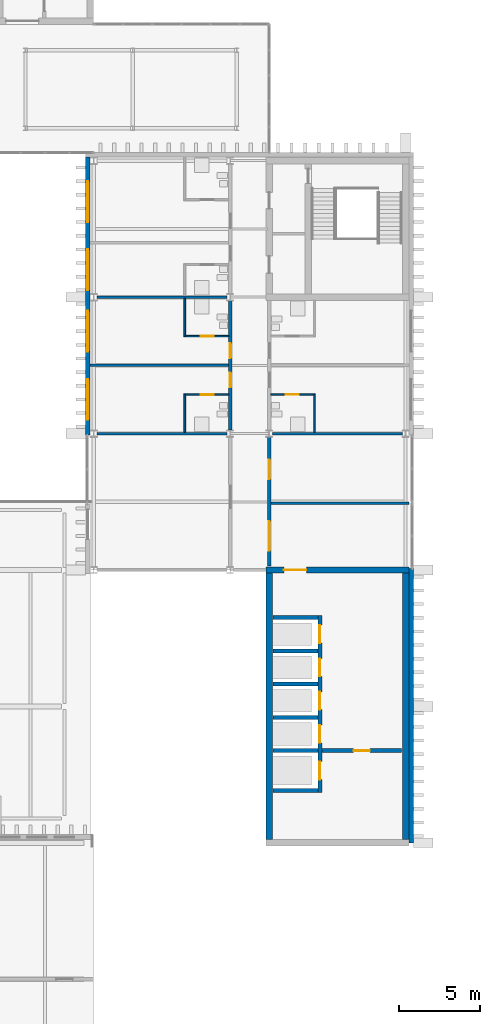
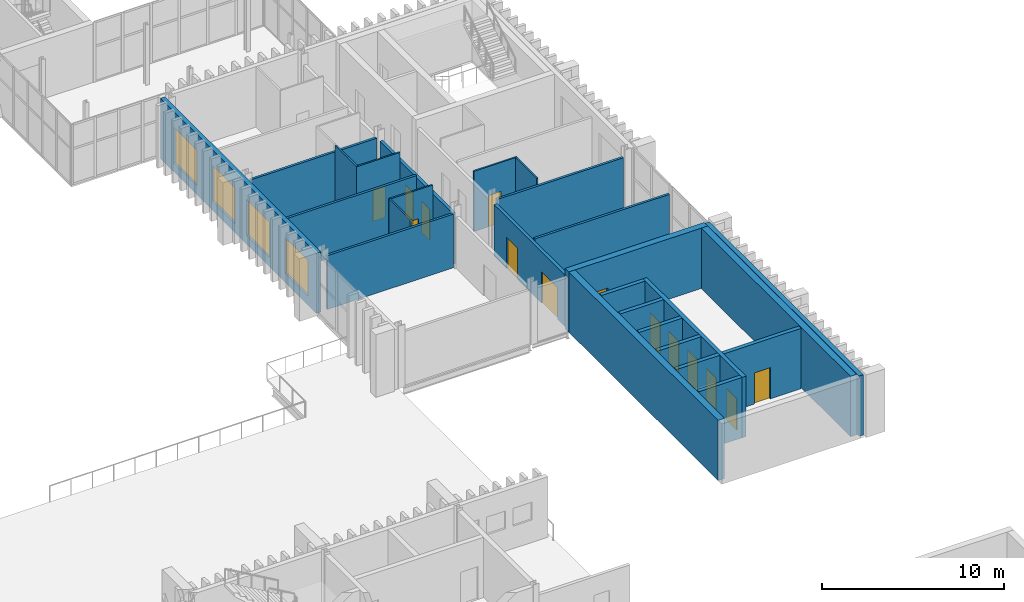
# One storey, part 70 of 96: 26 walls, 14 doors, 4 windows, 18 openings.
"""IFC4 building model written with IfcOpenShell, lengths in metres."""

from ifc_helpers import new_model, si_unit, direction, frame, frame_2d, origin, place, context, subcontext, project, spatial, rectangle, extrude, material, layer, layer_set, type_object, element, fill, save


model = new_model("IFC4")

# Units and contexts
model_context = context("Model", 3, precision=1e-05, world=origin(), true_north=direction((0.0, 1.0)))
body_context = subcontext(model_context, "Body", "Model", "MODEL_VIEW")
ifc_project = project(units=[si_unit("LENGTHUNIT", "METRE"), si_unit("AREAUNIT", "SQUARE_METRE"), si_unit("VOLUMEUNIT", "CUBIC_METRE"), si_unit("PLANEANGLEUNIT", "RADIAN"), si_unit("MASSUNIT", "GRAM", prefix="KILO")], contexts=[model_context])

# Site, building, storey
site_placement = place(None, origin())
site = spatial("IfcSite", under=ifc_project, at=site_placement, CompositionType="ELEMENT")
building_placement = place(site_placement, origin())
building = spatial("IfcBuilding", under=site, at=building_placement, Name="Cresset Court Congress Hotel", CompositionType="ELEMENT")
storey_placement = place(building_placement, frame((0.0, 0.0, 6.0)))
storey = spatial("IfcBuildingStorey", under=building, at=storey_placement, Name="L01", CompositionType="ELEMENT", Elevation=6.0)

# Wall, openings, doors
ifc_material_1 = material(Name="Gypsum board partition")
ifc_layer_1 = layer(ifc_material_1, 0.199951171875)
ifc_layer_set_1 = layer_set([ifc_layer_1], Name="Corridor wall 200")
wall_type_1 = type_object("IfcWallType", Name="Corridor wall 200", PredefinedType="PARTITIONING", material=ifc_layer_set_1)
wall_1_placement = place(storey_placement, frame((165.60009765625, 50.614013671875, 0.0), z_axis=(0.0, 0.0, 1.0), x_axis=(0.0, 1.0, 0.0)))
wall_1 = element("IfcWall", 1, at=wall_1_placement, inside=storey, type_object=wall_type_1, Name="A.wl.L01.023", PredefinedType="PARTITIONING", context=body_context, shape_type="SweptSolid", body=[
    extrude(rectangle(XDim=7.971923828125, YDim=0.199951171875, at=frame_2d((3.98583984375, 0.0))), origin(), (0.0, 0.0, 1.0), 3.449951171875),
])
opening_1_placement = place(wall_1_placement, frame((2.635986328125, 0.0, 0.0)))
opening_1 = element("IfcOpeningElement", 2, at=opening_1_placement, cuts=wall_1, Name="Opening DA-01-02", PredefinedType="OPENING", context=body_context, shape_type="SweptSolid", body=[
    extrude(rectangle(XDim=0.89990234375, YDim=2.10009765625, at=frame_2d((0.449951171875, 1.050048828125))), frame((0.0, 0.10986328125, 0.0), z_axis=(0.0, -1.0, 0.0), x_axis=(1.0, 0.0, 0.0)), (0.0, 0.0, 1.0), 0.219970703125),
])
opening_2_placement = place(wall_1_placement, frame((4.43603515625, 0.0, 0.0)))
opening_2 = element("IfcOpeningElement", 3, at=opening_2_placement, cuts=wall_1, Name="Opening DA-01-04", PredefinedType="OPENING", context=body_context, shape_type="SweptSolid", body=[
    extrude(rectangle(XDim=0.89990234375, YDim=2.10009765625, at=frame_2d((0.449951171875, 1.050048828125))), frame((0.0, 0.10986328125, 0.0), z_axis=(0.0, -1.0, 0.0), x_axis=(1.0, 0.0, 0.0)), (0.0, 0.0, 1.0), 0.219970703125),
])
ifc_material_2 = material(Name="timber", Category="wood")
door_type_1 = type_object("IfcDoorType", Name="Guest-room entry door 900x2100 FD30S", OperationType="SINGLE_SWING_LEFT", PredefinedType="DOOR", material=ifc_material_2)
door_1_placement = place(opening_1_placement, origin())
door_1 = element("IfcDoor", 4, at=door_1_placement, inside=storey, type_object=door_type_1, Name="Door DA-01-02", OperationType="SINGLE_SWING_RIGHT", OverallHeight=2.10009765625, OverallWidth=0.89990234375, PredefinedType="DOOR", context=body_context, shape_type="SweptSolid", body=[
    extrude(rectangle(XDim=0.89990234375, YDim=2.10009765625, at=frame_2d((0.449951171875, 1.050048828125))), frame((0.0, 0.02490234375, 0.0), z_axis=(0.0, -1.0, 0.0), x_axis=(1.0, 0.0, 0.0)), (0.0, 0.0, 1.0), 0.050048828125),
])
fill(opening_1, door_1)
door_2_placement = place(opening_2_placement, origin())
door_2 = element("IfcDoor", 5, at=door_2_placement, inside=storey, type_object=door_type_1, Name="Door DA-01-04", OperationType="SINGLE_SWING_LEFT", OverallHeight=2.10009765625, OverallWidth=0.89990234375, PredefinedType="DOOR", context=body_context, shape_type="SweptSolid", body=[
    extrude(rectangle(XDim=0.89990234375, YDim=2.10009765625, at=frame_2d((0.449951171875, 1.050048828125))), frame((0.0, 0.02490234375, 0.0), z_axis=(0.0, -1.0, 0.0), x_axis=(1.0, 0.0, 0.0)), (0.0, 0.0, 1.0), 0.050048828125),
])
fill(opening_2, door_2)

wall_2_placement = place(storey_placement, frame((168.0, 42.25, 0.0), z_axis=(0.0, 0.0, 1.0), x_axis=(0.0, 1.0, 0.0)))
wall_2 = element("IfcWall", 6, at=wall_2_placement, inside=storey, type_object=wall_type_1, Name="A.wl.L01.025", PredefinedType="PARTITIONING", context=body_context, shape_type="SweptSolid", body=[
    extrude(rectangle(XDim=7.93603515625, YDim=0.199951171875, at=frame_2d((3.968017578125, 0.0))), origin(), (0.0, 0.0, 1.0), 3.449951171875),
])
opening_3_placement = place(wall_2_placement, frame((5.35009765625, 0.0, 0.0)))
opening_3 = element("IfcOpeningElement", 7, at=opening_3_placement, cuts=wall_2, Name="Opening DA-01-14", PredefinedType="OPENING", context=body_context, shape_type="SweptSolid", body=[
    extrude(rectangle(XDim=1.199951171875, YDim=2.10009765625, at=frame_2d((0.60009765625, 1.050048828125))), frame((0.0, 0.10986328125, 0.0), z_axis=(0.0, -1.0, 0.0), x_axis=(1.0, 0.0, 0.0)), (0.0, 0.0, 1.0), 0.219970703125),
])
opening_4_placement = place(wall_2_placement, frame((0.949951171875, 0.0, 0.0)))
opening_4 = element("IfcOpeningElement", 8, at=opening_4_placement, cuts=wall_2, Name="Opening DA-01-16", PredefinedType="OPENING", context=body_context, shape_type="SweptSolid", body=[
    extrude(rectangle(XDim=1.800048828125, YDim=2.10009765625, at=frame_2d((0.89990234375, 1.050048828125))), frame((0.0, 0.10986328125, 0.0), z_axis=(0.0, -1.0, 0.0), x_axis=(1.0, 0.0, 0.0)), (0.0, 0.0, 1.0), 0.219970703125),
])
ifc_material_3 = material(Name="timber", Category="wood")
door_type_2 = type_object("IfcDoorType", Name="Interior door 1200x2100", OperationType="SINGLE_SWING_LEFT", PredefinedType="DOOR", material=ifc_material_3)
door_3_placement = place(opening_3_placement, origin())
door_3 = element("IfcDoor", 9, at=door_3_placement, inside=storey, type_object=door_type_2, Name="Door DA-01-14", OperationType="SINGLE_SWING_RIGHT", OverallHeight=2.10009765625, OverallWidth=1.199951171875, PredefinedType="DOOR", context=body_context, shape_type="SweptSolid", body=[
    extrude(rectangle(XDim=1.199951171875, YDim=2.10009765625, at=frame_2d((0.60009765625, 1.050048828125))), frame((0.0, 0.02490234375, 0.0), z_axis=(0.0, -1.0, 0.0), x_axis=(1.0, 0.0, 0.0)), (0.0, 0.0, 1.0), 0.050048828125),
])
fill(opening_3, door_3)
ifc_material_4 = material(Name="steel", Category="steel")
door_type_3 = type_object("IfcDoorType", Name="Lobby door 1800x2100 FD60", OperationType="DOUBLE_DOOR_DOUBLE_SWING", PredefinedType="DOOR", material=ifc_material_4)
door_4_placement = place(opening_4_placement, origin())
door_4 = element("IfcDoor", 10, at=door_4_placement, inside=storey, type_object=door_type_3, Name="Door DA-01-16", OperationType="DOUBLE_DOOR_DOUBLE_SWING", OverallHeight=2.10009765625, OverallWidth=1.800048828125, PredefinedType="DOOR", context=body_context, shape_type="SweptSolid", body=[
    extrude(rectangle(XDim=1.800048828125, YDim=2.10009765625, at=frame_2d((0.89990234375, 1.050048828125))), frame((0.0, 0.02490234375, 0.0), z_axis=(0.0, -1.0, 0.0), x_axis=(1.0, 0.0, 0.0)), (0.0, 0.0, 1.0), 0.050048828125),
])
fill(opening_4, door_4)

# Wall
ifc_material_5 = material(Name="Gypsum board partition")
ifc_layer_2 = layer(ifc_material_5, 0.10009765625)
ifc_layer_set_2 = layer_set([ifc_layer_2], Name="En-suite wall 100")
wall_type_2 = type_object("IfcWallType", Name="En-suite wall 100", PredefinedType="PARTITIONING", material=ifc_layer_set_2)
wall_3_placement = place(storey_placement, frame((162.800048828125, 50.47509765625, 0.0), z_axis=(0.0, 0.0, 1.0), x_axis=(0.0, 1.0, 0.0)))
element("IfcWall", 11, at=wall_3_placement, inside=storey, type_object=wall_type_2, Name="A.wl.L01.002", PredefinedType="PARTITIONING", context=body_context, shape_type="SweptSolid", body=[
    extrude(rectangle(XDim=2.324951171875, YDim=0.10009765625, at=frame_2d((1.16259765625, 0.0))), origin(), (0.0, 0.0, 1.0), 4.050048828125),
])

# Wall, opening, door
wall_4_placement = place(storey_placement, frame((162.75, 52.800048828125, 0.0), z_axis=(0.0, 0.0, 1.0), x_axis=(1.0, 0.0, 0.0)))
wall_4 = element("IfcWall", 12, at=wall_4_placement, inside=storey, type_object=wall_type_2, Name="A.wl.L01.003", PredefinedType="PARTITIONING", context=body_context, shape_type="SweptSolid", body=[
    extrude(rectangle(XDim=2.75, YDim=0.10009765625, at=frame_2d((1.375, 0.0))), origin(), (0.0, 0.0, 1.0), 4.050048828125),
])
opening_5_placement = place(wall_4_placement, frame((1.030029296875, 0.0, 0.0)))
opening_5 = element("IfcOpeningElement", 13, at=opening_5_placement, cuts=wall_4, Name="Opening DA-01-01", PredefinedType="OPENING", context=body_context, shape_type="SweptSolid", body=[
    extrude(rectangle(XDim=0.800048828125, YDim=2.10009765625, at=frame_2d((0.39990234375, 1.050048828125))), frame((0.0, 0.06005859375, 0.0), z_axis=(0.0, -1.0, 0.0), x_axis=(1.0, 0.0, 0.0)), (0.0, 0.0, 1.0), 0.1201171875),
])
ifc_material_6 = material(Name="timber", Category="wood")
door_type_4 = type_object("IfcDoorType", Name="En-suite door 800x2100", OperationType="SINGLE_SWING_LEFT", PredefinedType="DOOR", material=ifc_material_6)
door_5_placement = place(opening_5_placement, origin())
door_5 = element("IfcDoor", 14, at=door_5_placement, inside=storey, type_object=door_type_4, Name="Door DA-01-01", OperationType="SINGLE_SWING_RIGHT", OverallHeight=2.10009765625, OverallWidth=0.800048828125, PredefinedType="DOOR", context=body_context, shape_type="SweptSolid", body=[
    extrude(rectangle(XDim=0.800048828125, YDim=2.10009765625, at=frame_2d((0.39990234375, 1.050048828125))), frame((0.0, 0.02490234375, 0.0), z_axis=(0.0, -1.0, 0.0), x_axis=(1.0, 0.0, 0.0)), (0.0, 0.0, 1.0), 0.050048828125),
])
fill(opening_5, door_5)

# Wall
wall_5_placement = place(storey_placement, frame((162.800048828125, 56.39990234375, 0.0), z_axis=(0.0, 0.0, 1.0), x_axis=(0.0, 1.0, 0.0)))
element("IfcWall", 15, at=wall_5_placement, inside=storey, type_object=wall_type_2, Name="A.wl.L01.004", PredefinedType="PARTITIONING", context=body_context, shape_type="SweptSolid", body=[
    extrude(rectangle(XDim=2.3251953125, YDim=0.10009765625, at=frame_2d((1.16259765625, 0.0))), origin(), (0.0, 0.0, 1.0), 4.050048828125),
])

# Wall, opening, door
wall_6_placement = place(storey_placement, frame((162.75, 56.39990234375, 0.0), z_axis=(0.0, 0.0, 1.0), x_axis=(1.0, 0.0, 0.0)))
wall_6 = element("IfcWall", 16, at=wall_6_placement, inside=storey, type_object=wall_type_2, Name="A.wl.L01.005", PredefinedType="PARTITIONING", context=body_context, shape_type="SweptSolid", body=[
    extrude(rectangle(XDim=2.75, YDim=0.10009765625, at=frame_2d((1.375, 0.0))), origin(), (0.0, 0.0, 1.0), 4.050048828125),
])
opening_6_placement = place(wall_6_placement, frame((1.030029296875, 0.0, 0.0)))
opening_6 = element("IfcOpeningElement", 17, at=opening_6_placement, cuts=wall_6, Name="Opening DA-01-03", PredefinedType="OPENING", context=body_context, shape_type="SweptSolid", body=[
    extrude(rectangle(XDim=0.800048828125, YDim=2.10009765625, at=frame_2d((0.39990234375, 1.050048828125))), frame((0.0, 0.06005859375, 0.0), z_axis=(0.0, -1.0, 0.0), x_axis=(1.0, 0.0, 0.0)), (0.0, 0.0, 1.0), 0.1201171875),
])
door_6_placement = place(opening_6_placement, origin())
door_6 = element("IfcDoor", 18, at=door_6_placement, inside=storey, type_object=door_type_4, Name="Door DA-01-03", OperationType="SINGLE_SWING_LEFT", OverallHeight=2.10009765625, OverallWidth=0.800048828125, PredefinedType="DOOR", context=body_context, shape_type="SweptSolid", body=[
    extrude(rectangle(XDim=0.800048828125, YDim=2.10009765625, at=frame_2d((0.39990234375, 1.050048828125))), frame((0.0, 0.02490234375, 0.0), z_axis=(0.0, -1.0, 0.0), x_axis=(1.0, 0.0, 0.0)), (0.0, 0.0, 1.0), 0.050048828125),
])
fill(opening_6, door_6)

# Wall
wall_7_placement = place(storey_placement, frame((170.800048828125, 50.47509765625, 0.0), z_axis=(0.0, 0.0, 1.0), x_axis=(0.0, 1.0, 0.0)))
element("IfcWall", 19, at=wall_7_placement, inside=storey, type_object=wall_type_2, Name="A.wl.L01.010", PredefinedType="PARTITIONING", context=body_context, shape_type="SweptSolid", body=[
    extrude(rectangle(XDim=2.324951171875, YDim=0.10009765625, at=frame_2d((1.16259765625, 0.0))), origin(), (0.0, 0.0, 1.0), 4.050048828125),
])

# Wall, opening, door
wall_8_placement = place(storey_placement, frame((170.85009765625, 52.800048828125, 0.0), z_axis=(0.0, 0.0, 1.0), x_axis=(-1.0, 0.0, 0.0)))
wall_8 = element("IfcWall", 20, at=wall_8_placement, inside=storey, type_object=wall_type_2, Name="A.wl.L01.011", PredefinedType="PARTITIONING", context=body_context, shape_type="SweptSolid", body=[
    extrude(rectangle(XDim=2.75, YDim=0.10009765625, at=frame_2d((1.375, 0.0))), origin(), (0.0, 0.0, 1.0), 4.050048828125),
])
opening_7_placement = place(wall_8_placement, frame((1.030029296875, 0.0, 0.0)))
opening_7 = element("IfcOpeningElement", 21, at=opening_7_placement, cuts=wall_8, Name="Opening DA-01-09", PredefinedType="OPENING", context=body_context, shape_type="SweptSolid", body=[
    extrude(rectangle(XDim=0.800048828125, YDim=2.10009765625, at=frame_2d((0.39990234375, 1.050048828125))), frame((0.0, 0.06005859375, 0.0), z_axis=(0.0, -1.0, 0.0), x_axis=(1.0, 0.0, 0.0)), (0.0, 0.0, 1.0), 0.1201171875),
])
door_7_placement = place(opening_7_placement, origin())
door_7 = element("IfcDoor", 22, at=door_7_placement, inside=storey, type_object=door_type_4, Name="Door DA-01-09", OperationType="SINGLE_SWING_RIGHT", OverallHeight=2.10009765625, OverallWidth=0.800048828125, PredefinedType="DOOR", context=body_context, shape_type="SweptSolid", body=[
    extrude(rectangle(XDim=0.800048828125, YDim=2.10009765625, at=frame_2d((0.39990234375, 1.050048828125))), frame((0.0, 0.02490234375, 0.0), z_axis=(0.0, -1.0, 0.0), x_axis=(1.0, 0.0, 0.0)), (0.0, 0.0, 1.0), 0.050048828125),
])
fill(opening_7, door_7)

# Wall, openings, windows
ifc_material_7 = material(Name="Precast concrete C50", Category="concrete")
ifc_layer_3 = layer(ifc_material_7, 0.280029296875)
ifc_layer_set_3 = layer_set([ifc_layer_3], Name="External wall 280")
wall_type_3 = type_object("IfcWallType", Name="External wall 280", PredefinedType="SOLIDWALL", material=ifc_layer_set_3)
wall_9_placement = place(storey_placement, frame((156.840087890625, 50.300048828125, 0.0), z_axis=(0.0, 0.0, 1.0), x_axis=(0.0, 1.0, 0.0)))
wall_9 = element("IfcWall", 23, at=wall_9_placement, inside=storey, type_object=wall_type_3, Name="A.ew.L01.W.1", PredefinedType="SOLIDWALL", context=body_context, shape_type="SweptSolid", body=[
    extrude(rectangle(XDim=17.119873046875, YDim=0.280029296875, at=frame_2d((8.56005859375, 0.0))), origin(), (0.0, 0.0, 1.0), 4.050048828125),
])
opening_8_placement = place(wall_9_placement, frame((0.93994140625, 0.0, 0.60009765625)))
opening_8 = element("IfcOpeningElement", 24, at=opening_8_placement, cuts=wall_9, Name="Opening NA-01-01", PredefinedType="OPENING", context=body_context, shape_type="SweptSolid", body=[
    extrude(rectangle(XDim=2.52001953125, YDim=2.39990234375, at=frame_2d((1.260009765625, 1.199951171875))), frame((0.0, 0.14990234375, 0.0), z_axis=(0.0, -1.0, 0.0), x_axis=(1.0, 0.0, 0.0)), (0.0, 0.0, 1.0), 0.300048828125),
])
opening_9_placement = place(wall_9_placement, frame((5.139892578125, 0.0, 0.60009765625)))
opening_9 = element("IfcOpeningElement", 25, at=opening_9_placement, cuts=wall_9, Name="Opening NA-01-02", PredefinedType="OPENING", context=body_context, shape_type="SweptSolid", body=[
    extrude(rectangle(XDim=2.52001953125, YDim=2.39990234375, at=frame_2d((1.260009765625, 1.199951171875))), frame((0.0, 0.14990234375, 0.0), z_axis=(0.0, -1.0, 0.0), x_axis=(1.0, 0.0, 0.0)), (0.0, 0.0, 1.0), 0.300048828125),
])
opening_10_placement = place(wall_9_placement, frame((8.919921875, 0.0, 0.60009765625)))
opening_10 = element("IfcOpeningElement", 26, at=opening_10_placement, cuts=wall_9, Name="Opening NA-01-03", PredefinedType="OPENING", context=body_context, shape_type="SweptSolid", body=[
    extrude(rectangle(XDim=2.52001953125, YDim=2.39990234375, at=frame_2d((1.260009765625, 1.199951171875))), frame((0.0, 0.14990234375, 0.0), z_axis=(0.0, -1.0, 0.0), x_axis=(1.0, 0.0, 0.0)), (0.0, 0.0, 1.0), 0.300048828125),
])
opening_11_placement = place(wall_9_placement, frame((13.1201171875, 0.0, 0.60009765625)))
opening_11 = element("IfcOpeningElement", 27, at=opening_11_placement, cuts=wall_9, Name="Opening NA-01-04", PredefinedType="OPENING", context=body_context, shape_type="SweptSolid", body=[
    extrude(rectangle(XDim=2.52001953125, YDim=2.39990234375, at=frame_2d((1.260009765625, 1.199951171875))), frame((0.0, 0.14990234375, 0.0), z_axis=(0.0, -1.0, 0.0), x_axis=(1.0, 0.0, 0.0)), (0.0, 0.0, 1.0), 0.300048828125),
])
ifc_material_8 = material(Name="Aluminium and glass", Category="aluminium")
window_type = type_object("IfcWindowType", Name="Window 2520x2400", PartitioningType="SINGLE_PANEL", PredefinedType="WINDOW", material=ifc_material_8)
window_1_placement = place(opening_8_placement, origin())
window_1 = element("IfcWindow", 28, at=window_1_placement, inside=storey, type_object=window_type, Name="Window NA-01-01", OverallHeight=2.39990234375, OverallWidth=2.52001953125, PartitioningType="SINGLE_PANEL", PredefinedType="WINDOW", context=body_context, shape_type="SweptSolid", body=[
    extrude(rectangle(XDim=2.52001953125, YDim=2.39990234375, at=frame_2d((1.260009765625, 1.199951171875))), frame((0.0, 0.030029296875, 0.0), z_axis=(0.0, -1.0, 0.0), x_axis=(1.0, 0.0, 0.0)), (0.0, 0.0, 1.0), 0.06005859375),
])
fill(opening_8, window_1)
window_2_placement = place(opening_9_placement, origin())
window_2 = element("IfcWindow", 29, at=window_2_placement, inside=storey, type_object=window_type, Name="Window NA-01-02", OverallHeight=2.39990234375, OverallWidth=2.52001953125, PartitioningType="SINGLE_PANEL", PredefinedType="WINDOW", context=body_context, shape_type="SweptSolid", body=[
    extrude(rectangle(XDim=2.52001953125, YDim=2.39990234375, at=frame_2d((1.260009765625, 1.199951171875))), frame((0.0, 0.030029296875, 0.0), z_axis=(0.0, -1.0, 0.0), x_axis=(1.0, 0.0, 0.0)), (0.0, 0.0, 1.0), 0.06005859375),
])
fill(opening_9, window_2)
window_3_placement = place(opening_10_placement, origin())
window_3 = element("IfcWindow", 30, at=window_3_placement, inside=storey, type_object=window_type, Name="Window NA-01-03", OverallHeight=2.39990234375, OverallWidth=2.52001953125, PartitioningType="SINGLE_PANEL", PredefinedType="WINDOW", context=body_context, shape_type="SweptSolid", body=[
    extrude(rectangle(XDim=2.52001953125, YDim=2.39990234375, at=frame_2d((1.260009765625, 1.199951171875))), frame((0.0, 0.030029296875, 0.0), z_axis=(0.0, -1.0, 0.0), x_axis=(1.0, 0.0, 0.0)), (0.0, 0.0, 1.0), 0.06005859375),
])
fill(opening_10, window_3)
window_4_placement = place(opening_11_placement, origin())
window_4 = element("IfcWindow", 31, at=window_4_placement, inside=storey, type_object=window_type, Name="Window NA-01-04", OverallHeight=2.39990234375, OverallWidth=2.52001953125, PartitioningType="SINGLE_PANEL", PredefinedType="WINDOW", context=body_context, shape_type="SweptSolid", body=[
    extrude(rectangle(XDim=2.52001953125, YDim=2.39990234375, at=frame_2d((1.260009765625, 1.199951171875))), frame((0.0, 0.030029296875, 0.0), z_axis=(0.0, -1.0, 0.0), x_axis=(1.0, 0.0, 0.0)), (0.0, 0.0, 1.0), 0.06005859375),
])
fill(opening_11, window_4)

# Walls
wall_10_placement = place(storey_placement, frame((176.760009765625, 25.199951171875, 0.0), z_axis=(0.0, 0.0, 1.0), x_axis=(0.0, 1.0, 0.0)))
element("IfcWall", 32, at=wall_10_placement, inside=storey, type_object=wall_type_3, Name="A.ew.L01.E.2", PredefinedType="SOLIDWALL", context=body_context, shape_type="SweptSolid", body=[
    extrude(rectangle(XDim=16.900146484375, YDim=0.280029296875, at=frame_2d((8.4501953125, 0.0))), origin(), (0.0, 0.0, 1.0), 4.050048828125),
])
ifc_material_9 = material(Name="Gypsum board partition")
ifc_layer_4 = layer(ifc_material_9, 0.14990234375)
ifc_layer_set_4 = layer_set([ifc_layer_4], Name="Guest-room partition 150")
wall_type_4 = type_object("IfcWallType", Name="Guest-room partition 150", PredefinedType="PARTITIONING", material=ifc_layer_set_4)
wall_11_placement = place(storey_placement, frame((168.10009765625, 46.10009765625, 0.0), z_axis=(0.0, 0.0, 1.0), x_axis=(1.0, 0.0, 0.0)))
element("IfcWall", 33, at=wall_11_placement, inside=storey, type_object=wall_type_4, Name="A.wl.L01.001", PredefinedType="PARTITIONING", context=body_context, shape_type="SweptSolid", body=[
    extrude(rectangle(XDim=8.52001953125, YDim=0.14990234375, at=frame_2d((4.260009765625, 0.0))), origin(), (0.0, 0.0, 1.0), 3.60400390625),
])
for number, where, z_axis, x_axis, name in (
    (34, (157.403564453125, 50.39990234375, 0.0), (0.0, 0.0, 1.0), (1.0, 0.0, 0.0), "A.wl.L01.014"),
    (35, (157.403564453125, 58.800048828125, 0.0), (0.0, 0.0, 1.0), (1.0, 0.0, 0.0), "A.wl.L01.015"),
    (36, (168.20361328125, 50.39990234375, 0.0), (0.0, 0.0, 1.0), (1.0, 0.0, 0.0), "A.wl.L01.016"),
):
    element("IfcWall", number, at=place(storey_placement, frame(where, z_axis=z_axis, x_axis=x_axis)), inside=storey, type_object=wall_type_4, Name=name, PredefinedType="PARTITIONING", context=body_context, shape_type="SweptSolid", body=[
        extrude(rectangle(XDim=7.992919921875, YDim=0.14990234375, at=frame_2d((3.99658203125, 0.0))), origin(), (0.0, 0.0, 1.0), 3.60400390625),
    ])
wall_12_placement = place(storey_placement, frame((156.97998046875, 54.60009765625, 0.0), z_axis=(0.0, 0.0, 1.0), x_axis=(1.0, 0.0, 0.0)))
element("IfcWall", 37, at=wall_12_placement, inside=storey, type_object=wall_type_4, Name="A.wl.L01.017", PredefinedType="PARTITIONING", context=body_context, shape_type="SweptSolid", body=[
    extrude(rectangle(XDim=8.52001953125, YDim=0.14990234375, at=frame_2d((4.260009765625, 0.0))), origin(), (0.0, 0.0, 1.0), 3.60400390625),
])

# Wall, opening, door
ifc_material_10 = material(Name="Concrete C50", Category="concrete")
ifc_layer_5 = layer(ifc_material_10, 0.39990234375)
ifc_layer_set_5 = layer_set([ifc_layer_5], Name="Lift core wall 400")
wall_type_5 = type_object("IfcWallType", Name="Lift core wall 400", PredefinedType="SOLIDWALL", material=ifc_layer_set_5)
wall_13_placement = place(storey_placement, frame((167.800048828125, 42.0, 0.0), z_axis=(0.0, 0.0, 1.0), x_axis=(1.0, 0.0, 0.0)))
wall_13 = element("IfcWall", 38, at=wall_13_placement, inside=storey, type_object=wall_type_5, Name="A.cw.LC-A.L01.N", PredefinedType="SOLIDWALL", context=body_context, shape_type="SweptSolid", body=[
    extrude(rectangle(XDim=8.800048828125, YDim=0.39990234375, at=frame_2d((4.39990234375, 0.0))), origin(), (0.0, 0.0, 1.0), 4.050048828125),
])
opening_12_placement = place(wall_13_placement, frame((1.10009765625, 0.0, 0.0)))
opening_12 = element("IfcOpeningElement", 39, at=opening_12_placement, cuts=wall_13, Name="Opening DA-01-15", PredefinedType="OPENING", context=body_context, shape_type="SweptSolid", body=[
    extrude(rectangle(XDim=1.39990234375, YDim=2.10009765625, at=frame_2d((0.699951171875, 1.050048828125))), frame((0.0, 0.2099609375, 0.0), z_axis=(0.0, -1.0, 0.0), x_axis=(1.0, 0.0, 0.0)), (0.0, 0.0, 1.0), 0.419921875),
])
ifc_material_11 = material(Name="steel", Category="steel")
door_type_5 = type_object("IfcDoorType", Name="Lobby door 1400x2100 FD60", OperationType="DOUBLE_DOOR_DOUBLE_SWING", PredefinedType="DOOR", material=ifc_material_11)
door_8_placement = place(opening_12_placement, origin())
door_8 = element("IfcDoor", 40, at=door_8_placement, inside=storey, type_object=door_type_5, Name="Door DA-01-15", OperationType="DOUBLE_DOOR_DOUBLE_SWING", OverallHeight=2.10009765625, OverallWidth=1.39990234375, PredefinedType="DOOR", context=body_context, shape_type="SweptSolid", body=[
    extrude(rectangle(XDim=1.39990234375, YDim=2.10009765625, at=frame_2d((0.699951171875, 1.050048828125))), frame((0.0, 0.02490234375, 0.0), z_axis=(0.0, -1.0, 0.0), x_axis=(1.0, 0.0, 0.0)), (0.0, 0.0, 1.0), 0.050048828125),
])
fill(opening_12, door_8)

# Walls
for number, where, z_axis, x_axis, name in (
    (41, (168.0, 25.39990234375, 0.0), (0.0, 0.0, 1.0), (0.0, 1.0, 0.0), "A.cw.LC-A.L01.W"),
    (42, (176.39990234375, 25.39990234375, 0.0), (0.0, 0.0, 1.0), (0.0, 1.0, 0.0), "A.cw.LC-A.L01.E"),
):
    element("IfcWall", number, at=place(storey_placement, frame(where, z_axis=z_axis, x_axis=x_axis)), inside=storey, type_object=wall_type_5, Name=name, PredefinedType="SOLIDWALL", context=body_context, shape_type="SweptSolid", body=[
        extrude(rectangle(XDim=16.400146484375, YDim=0.39990234375, at=frame_2d((8.2001953125, 0.0))), origin(), (0.0, 0.0, 1.0), 4.050048828125),
    ])

# Wall, openings, doors
ifc_material_12 = material(Name="Concrete C50", Category="concrete")
ifc_layer_6 = layer(ifc_material_12, 0.25)
ifc_layer_set_6 = layer_set([ifc_layer_6], Name="Lift shaft wall 250")
wall_type_6 = type_object("IfcWallType", Name="Lift shaft wall 250", PredefinedType="SOLIDWALL", material=ifc_layer_set_6)
wall_14_placement = place(storey_placement, frame((171.125, 28.300048828125, 0.0), z_axis=(0.0, 0.0, 1.0), x_axis=(0.0, 1.0, 0.0)))
wall_14 = element("IfcWall", 43, at=wall_14_placement, inside=storey, type_object=wall_type_6, Name="A.wl.L01.029", PredefinedType="SOLIDWALL", context=body_context, shape_type="SweptSolid", body=[
    extrude(rectangle(XDim=10.89990234375, YDim=0.25, at=frame_2d((5.449951171875, 0.0))), origin(), (0.0, 0.0, 1.0), 4.050048828125),
])
opening_13_placement = place(wall_14_placement, frame((0.800048828125, 0.0, 0.0)))
opening_13 = element("IfcOpeningElement", 44, at=opening_13_placement, cuts=wall_14, Name="Opening LD-A1-01", PredefinedType="OPENING", context=body_context, shape_type="SweptSolid", body=[
    extrude(rectangle(XDim=1.10009765625, YDim=2.10009765625, at=frame_2d((0.550048828125, 1.050048828125))), frame((0.0, 0.135009765625, 0.0), z_axis=(0.0, -1.0, 0.0), x_axis=(1.0, 0.0, 0.0)), (0.0, 0.0, 1.0), 0.27001953125),
])
opening_14_placement = place(wall_14_placement, frame((3.050048828125, 0.0, 0.0)))
opening_14 = element("IfcOpeningElement", 45, at=opening_14_placement, cuts=wall_14, Name="Opening LD-A2-01", PredefinedType="OPENING", context=body_context, shape_type="SweptSolid", body=[
    extrude(rectangle(XDim=1.10009765625, YDim=2.10009765625, at=frame_2d((0.550048828125, 1.050048828125))), frame((0.0, 0.135009765625, 0.0), z_axis=(0.0, -1.0, 0.0), x_axis=(1.0, 0.0, 0.0)), (0.0, 0.0, 1.0), 0.27001953125),
])
opening_15_placement = place(wall_14_placement, frame((5.10009765625, 0.0, 0.0)))
opening_15 = element("IfcOpeningElement", 46, at=opening_15_placement, cuts=wall_14, Name="Opening LD-A3-01", PredefinedType="OPENING", context=body_context, shape_type="SweptSolid", body=[
    extrude(rectangle(XDim=1.10009765625, YDim=2.10009765625, at=frame_2d((0.550048828125, 1.050048828125))), frame((0.0, 0.135009765625, 0.0), z_axis=(0.0, -1.0, 0.0), x_axis=(1.0, 0.0, 0.0)), (0.0, 0.0, 1.0), 0.27001953125),
])
opening_16_placement = place(wall_14_placement, frame((7.14990234375, 0.0, 0.0)))
opening_16 = element("IfcOpeningElement", 47, at=opening_16_placement, cuts=wall_14, Name="Opening LD-A4-01", PredefinedType="OPENING", context=body_context, shape_type="SweptSolid", body=[
    extrude(rectangle(XDim=1.10009765625, YDim=2.10009765625, at=frame_2d((0.550048828125, 1.050048828125))), frame((0.0, 0.135009765625, 0.0), z_axis=(0.0, -1.0, 0.0), x_axis=(1.0, 0.0, 0.0)), (0.0, 0.0, 1.0), 0.27001953125),
])
opening_17_placement = place(wall_14_placement, frame((9.199951171875, 0.0, 0.0)))
opening_17 = element("IfcOpeningElement", 48, at=opening_17_placement, cuts=wall_14, Name="Opening LD-A5-01", PredefinedType="OPENING", context=body_context, shape_type="SweptSolid", body=[
    extrude(rectangle(XDim=1.10009765625, YDim=2.10009765625, at=frame_2d((0.550048828125, 1.050048828125))), frame((0.0, 0.135009765625, 0.0), z_axis=(0.0, -1.0, 0.0), x_axis=(1.0, 0.0, 0.0)), (0.0, 0.0, 1.0), 0.27001953125),
])
ifc_material_13 = material(Name="stainless steel", Category="steel")
door_type_6 = type_object("IfcDoorType", Name="Lift landing door 1100x2100 E 60", OperationType="SLIDING_TO_LEFT", PredefinedType="DOOR", material=ifc_material_13)
door_9_placement = place(opening_13_placement, origin())
door_9 = element("IfcDoor", 49, at=door_9_placement, inside=storey, type_object=door_type_6, Name="Lift landing door LD-A1-01", OperationType="SLIDING_TO_LEFT", OverallHeight=2.10009765625, OverallWidth=1.10009765625, PredefinedType="DOOR", context=body_context, shape_type="SweptSolid", body=[
    extrude(rectangle(XDim=1.10009765625, YDim=2.10009765625, at=frame_2d((0.550048828125, 1.050048828125))), frame((0.0, 0.02490234375, 0.0), z_axis=(0.0, -1.0, 0.0), x_axis=(1.0, 0.0, 0.0)), (0.0, 0.0, 1.0), 0.050048828125),
])
fill(opening_13, door_9)
door_10_placement = place(opening_14_placement, origin())
door_10 = element("IfcDoor", 50, at=door_10_placement, inside=storey, type_object=door_type_6, Name="Lift landing door LD-A2-01", OperationType="SLIDING_TO_LEFT", OverallHeight=2.10009765625, OverallWidth=1.10009765625, PredefinedType="DOOR", context=body_context, shape_type="SweptSolid", body=[
    extrude(rectangle(XDim=1.10009765625, YDim=2.10009765625, at=frame_2d((0.550048828125, 1.050048828125))), frame((0.0, 0.02490234375, 0.0), z_axis=(0.0, -1.0, 0.0), x_axis=(1.0, 0.0, 0.0)), (0.0, 0.0, 1.0), 0.050048828125),
])
fill(opening_14, door_10)
door_11_placement = place(opening_15_placement, origin())
door_11 = element("IfcDoor", 51, at=door_11_placement, inside=storey, type_object=door_type_6, Name="Lift landing door LD-A3-01", OperationType="SLIDING_TO_LEFT", OverallHeight=2.10009765625, OverallWidth=1.10009765625, PredefinedType="DOOR", context=body_context, shape_type="SweptSolid", body=[
    extrude(rectangle(XDim=1.10009765625, YDim=2.10009765625, at=frame_2d((0.550048828125, 1.050048828125))), frame((0.0, 0.02490234375, 0.0), z_axis=(0.0, -1.0, 0.0), x_axis=(1.0, 0.0, 0.0)), (0.0, 0.0, 1.0), 0.050048828125),
])
fill(opening_15, door_11)
door_12_placement = place(opening_16_placement, origin())
door_12 = element("IfcDoor", 52, at=door_12_placement, inside=storey, type_object=door_type_6, Name="Lift landing door LD-A4-01", OperationType="SLIDING_TO_LEFT", OverallHeight=2.10009765625, OverallWidth=1.10009765625, PredefinedType="DOOR", context=body_context, shape_type="SweptSolid", body=[
    extrude(rectangle(XDim=1.10009765625, YDim=2.10009765625, at=frame_2d((0.550048828125, 1.050048828125))), frame((0.0, 0.02490234375, 0.0), z_axis=(0.0, -1.0, 0.0), x_axis=(1.0, 0.0, 0.0)), (0.0, 0.0, 1.0), 0.050048828125),
])
fill(opening_16, door_12)
door_13_placement = place(opening_17_placement, origin())
door_13 = element("IfcDoor", 53, at=door_13_placement, inside=storey, type_object=door_type_6, Name="Lift landing door LD-A5-01", OperationType="SLIDING_TO_LEFT", OverallHeight=2.10009765625, OverallWidth=1.10009765625, PredefinedType="DOOR", context=body_context, shape_type="SweptSolid", body=[
    extrude(rectangle(XDim=1.10009765625, YDim=2.10009765625, at=frame_2d((0.550048828125, 1.050048828125))), frame((0.0, 0.02490234375, 0.0), z_axis=(0.0, -1.0, 0.0), x_axis=(1.0, 0.0, 0.0)), (0.0, 0.0, 1.0), 0.050048828125),
])
fill(opening_17, door_13)

# Walls
for number, where, z_axis, x_axis, name in (
    (54, (168.25, 28.425048828125, 0.0), (0.0, 0.0, 1.0), (1.0, 0.0, 0.0), "A.wl.L01.030"),
    (55, (168.25, 30.875, 0.0), (0.0, 0.0, 1.0), (1.0, 0.0, 0.0), "A.wl.L01.031"),
    (56, (168.25, 32.925048828125, 0.0), (0.0, 0.0, 1.0), (1.0, 0.0, 0.0), "A.wl.L01.032"),
    (57, (168.25, 34.97509765625, 0.0), (0.0, 0.0, 1.0), (1.0, 0.0, 0.0), "A.wl.L01.033"),
    (58, (168.25, 37.02490234375, 0.0), (0.0, 0.0, 1.0), (1.0, 0.0, 0.0), "A.wl.L01.034"),
    (59, (168.25, 39.074951171875, 0.0), (0.0, 0.0, 1.0), (1.0, 0.0, 0.0), "A.wl.L01.035"),
):
    element("IfcWall", number, at=place(storey_placement, frame(where, z_axis=z_axis, x_axis=x_axis)), inside=storey, type_object=wall_type_6, Name=name, PredefinedType="SOLIDWALL", context=body_context, shape_type="SweptSolid", body=[
        extrude(rectangle(XDim=2.75, YDim=0.25, at=frame_2d((1.375, 0.0))), origin(), (0.0, 0.0, 1.0), 4.050048828125),
    ])

# Wall, opening, door
wall_15_placement = place(storey_placement, frame((171.25, 30.875, 0.0), z_axis=(0.0, 0.0, 1.0), x_axis=(1.0, 0.0, 0.0)))
wall_15 = element("IfcWall", 60, at=wall_15_placement, inside=storey, type_object=wall_type_6, Name="A.wl.L01.036", PredefinedType="SOLIDWALL", context=body_context, shape_type="SweptSolid", body=[
    extrude(rectangle(XDim=4.89990234375, YDim=0.25, at=frame_2d((2.449951171875, 0.0))), origin(), (0.0, 0.0, 1.0), 4.050048828125),
])
opening_18_placement = place(wall_15_placement, frame((1.949951171875, 0.0, 0.0)))
opening_18 = element("IfcOpeningElement", 61, at=opening_18_placement, cuts=wall_15, Name="Opening DA-01-25", PredefinedType="OPENING", context=body_context, shape_type="SweptSolid", body=[
    extrude(rectangle(XDim=1.0, YDim=2.10009765625, at=frame_2d((0.5, 1.050048828125))), frame((0.0, 0.135009765625, 0.0), z_axis=(0.0, -1.0, 0.0), x_axis=(1.0, 0.0, 0.0)), (0.0, 0.0, 1.0), 0.27001953125),
])
ifc_material_14 = material(Name="steel", Category="steel")
door_type_7 = type_object("IfcDoorType", Name="Lobby door 1000x2100 FD60", OperationType="SINGLE_SWING_LEFT", PredefinedType="DOOR", material=ifc_material_14)
door_14_placement = place(opening_18_placement, origin())
door_14 = element("IfcDoor", 62, at=door_14_placement, inside=storey, type_object=door_type_7, Name="Door DA-01-25", OperationType="SINGLE_SWING_RIGHT", OverallHeight=2.10009765625, OverallWidth=1.0, PredefinedType="DOOR", context=body_context, shape_type="SweptSolid", body=[
    extrude(rectangle(XDim=1.0, YDim=2.10009765625, at=frame_2d((0.5, 1.050048828125))), frame((0.0, 0.02490234375, 0.0), z_axis=(0.0, -1.0, 0.0), x_axis=(1.0, 0.0, 0.0)), (0.0, 0.0, 1.0), 0.050048828125),
])
fill(opening_18, door_14)

save(model, "model.ifc")
